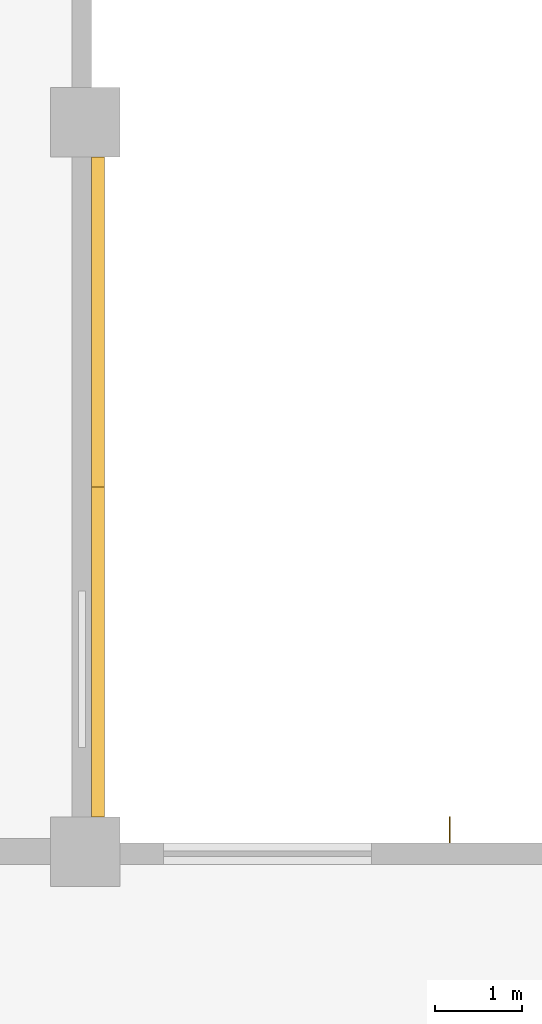
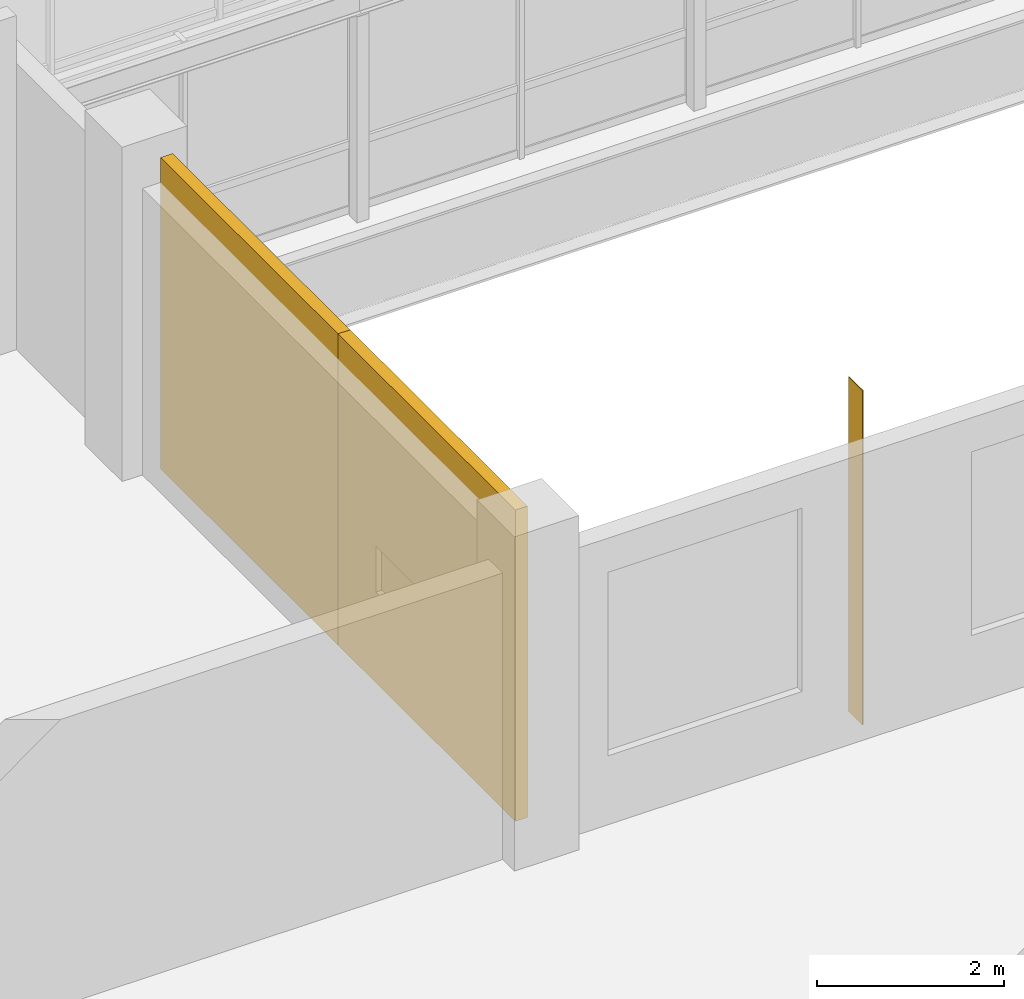
# One storey, part 56 of 70: 3 shading devices.
"""IFC4 building model written with IfcOpenShell, lengths in metres."""

from ifc_helpers import new_model, si_unit, direction, frame, origin, origin_2d, place, context, subcontext, project, spatial, rectangle, extrude, material, layer, layer_set, type_object, element, save


model = new_model("IFC4")

# Units and contexts
model_context = context("Model", 3, precision=1e-05, world=origin(), true_north=direction((0.0, 1.0)))
body_context = subcontext(model_context, "Body", "Model", "MODEL_VIEW")
ifc_project = project(units=[si_unit("LENGTHUNIT", "METRE"), si_unit("AREAUNIT", "SQUARE_METRE"), si_unit("VOLUMEUNIT", "CUBIC_METRE"), si_unit("PLANEANGLEUNIT", "RADIAN"), si_unit("MASSUNIT", "GRAM", prefix="KILO")], contexts=[model_context])

# Site, building, storey
site_placement = place(None, origin())
site = spatial("IfcSite", under=ifc_project, at=site_placement, CompositionType="ELEMENT")
building_placement = place(site_placement, origin())
building = spatial("IfcBuilding", under=site, at=building_placement, Name="Hlaing Beacon Police Headquarters", CompositionType="ELEMENT")
storey_placement = place(building_placement, frame((0.0, 0.0, 5.39990234375)))
storey = spatial("IfcBuildingStorey", under=building, at=storey_placement, Name="L01", CompositionType="ELEMENT", Elevation=5.39990234375)

# Shading devices
ifc_material_1 = material(Name="Aluminium 6063-T5 anodised", Category="aluminium")
ifc_layer_1 = layer(ifc_material_1, 0.011962890625)
ifc_layer_set_1 = layer_set([ifc_layer_1], Name="Aluminium 6063-T5 anodised")
shading_device_type_1 = type_object("IfcShadingDeviceType", Name="Aluminium fin 12x300", PredefinedType="JALOUSIE", material=ifc_layer_set_1)
shading_device_placement = place(storey_placement, frame((37.800048828125, 33.85009765625, 0.0), z_axis=(0.0, 0.0, 1.0), x_axis=(-1.0, 0.0, 0.0)))
element("IfcShadingDevice", 1, at=shading_device_placement, inside=storey, type_object=shading_device_type_1, Name="Fin L01 N005", PredefinedType="JALOUSIE", context=body_context, shape_type="SweptSolid", body=[
    extrude(rectangle(XDim=0.011962890625, YDim=0.300048828125, at=origin_2d()), origin(), (0.0, 0.0, 1.0), 4.3701171875),
])
ifc_material_2 = material(Name="Perforated aluminium", Category="aluminium")
ifc_layer_2 = layer(ifc_material_2, 0.14990234375)
ifc_layer_set_2 = layer_set([ifc_layer_2], Name="Perforated aluminium")
shading_device_type_2 = type_object("IfcShadingDeviceType", Name="Perforated screen panel 150", PredefinedType="JALOUSIE", material=ifc_layer_set_2)
for number, where, z_axis, x_axis, name in (
    (2, (33.75, 35.89990234375, 0.0), (0.0, 0.0, 1.0), (0.0, 1.0, 0.0), "Screen L01 E009"),
    (3, (33.75, 39.699951171875, 0.0), (0.0, 0.0, 1.0), (0.0, 1.0, 0.0), "Screen L01 E010"),
):
    element("IfcShadingDevice", number, at=place(storey_placement, frame(where, z_axis=z_axis, x_axis=x_axis)), inside=storey, type_object=shading_device_type_2, Name=name, PredefinedType="JALOUSIE", context=body_context, shape_type="SweptSolid", body=[
        extrude(rectangle(XDim=3.800048828125, YDim=0.14990234375, at=origin_2d()), origin(), (0.0, 0.0, 1.0), 4.070068359375),
    ])

save(model, "model.ifc")
